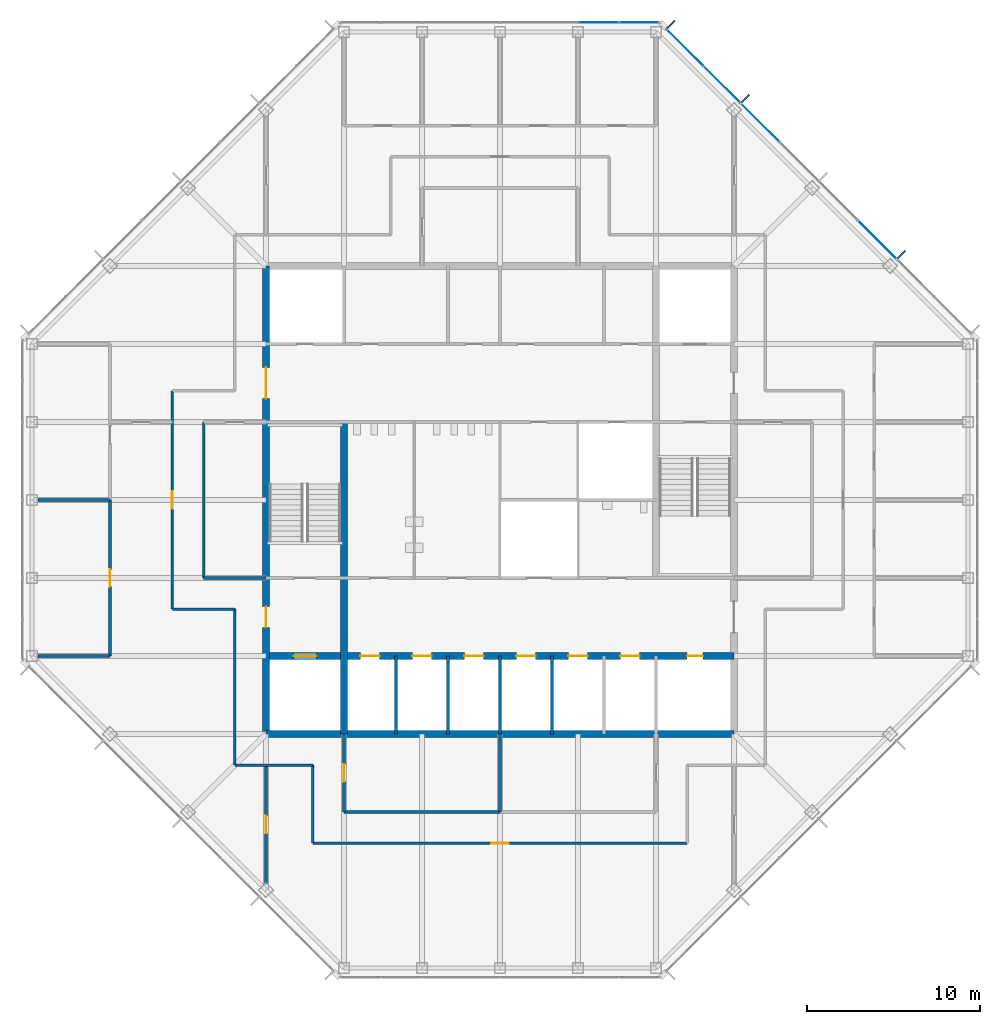
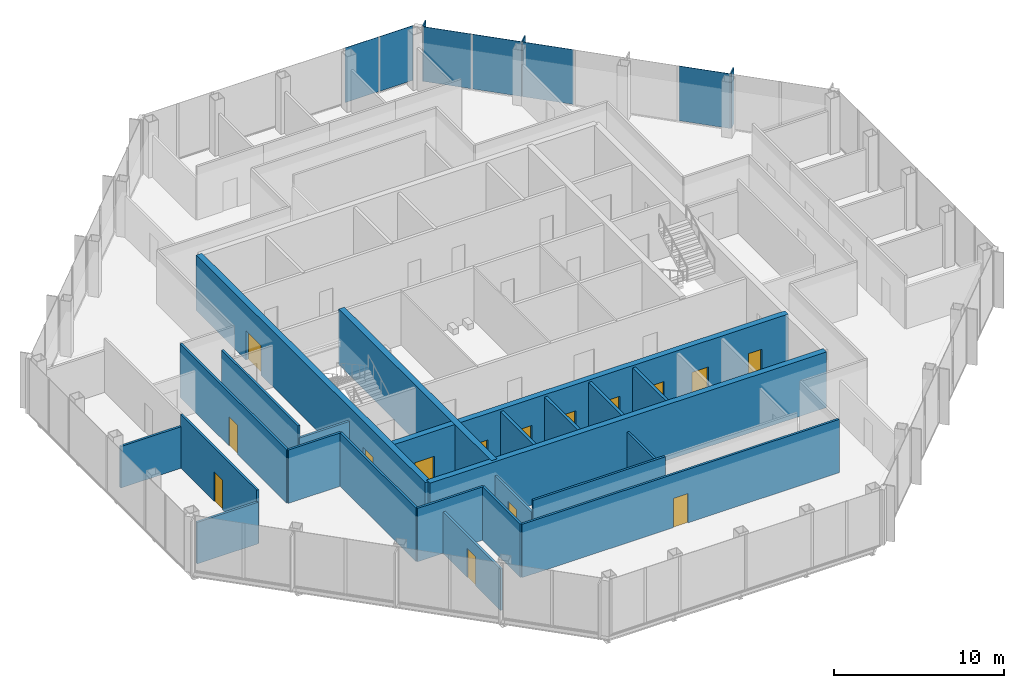
# One storey, part 9 of 14: 23 walls, 15 doors, 9 plates, 15 openings, 2 elements without a shape of their own.
"""IFC4 building model written with IfcOpenShell, lengths in metres."""

from ifc_helpers import new_model, si_unit, direction, frame, frame_2d, origin, origin_2d, place, context, subcontext, project, spatial, rectangle, extrude, material, layer, layer_set, type_object, element, fill, aggregate, save


model = new_model("IFC4")

# Units and contexts
model_context = context("Model", 3, precision=1e-05, world=origin(), true_north=direction((0.0, 1.0)))
body_context = subcontext(model_context, "Body", "Model", "MODEL_VIEW")
ifc_project = project(units=[si_unit("LENGTHUNIT", "METRE"), si_unit("AREAUNIT", "SQUARE_METRE"), si_unit("VOLUMEUNIT", "CUBIC_METRE"), si_unit("PLANEANGLEUNIT", "RADIAN"), si_unit("MASSUNIT", "GRAM", prefix="KILO")], contexts=[model_context])

# Site, building, storey
site_placement = place(None, origin())
site = spatial("IfcSite", under=ifc_project, at=site_placement, CompositionType="ELEMENT")
building_placement = place(site_placement, origin())
building = spatial("IfcBuilding", under=site, at=building_placement, Name="Corais Broadcast Tower", CompositionType="ELEMENT")
storey_placement = place(building_placement, frame((0.0, 0.0, 214.60009765625)))
storey = spatial("IfcBuildingStorey", under=building, at=storey_placement, Name="L49", CompositionType="ELEMENT", Elevation=214.60009765625)

# Curtain wall, plate
ifc_material_1 = material(Name="Aluminium and glass", Category="aluminium")
curtain_wall_type = type_object("IfcCurtainWallType", Name="Unitised fritted curtain wall CW3", PredefinedType="NOTDEFINED", material=ifc_material_1)
curtain_wall_1_placement = place(storey_placement, origin())
curtain_wall_1 = element("IfcCurtainWall", 1, at=curtain_wall_1_placement, inside=storey, type_object=curtain_wall_type, Name="CW3 curtain wall L49 4", PredefinedType="NOTDEFINED")
ifc_material_2 = material(Name="Ceramic-fritted laminated glass", Category="glass")
ifc_layer_1 = layer(ifc_material_2, 0.02587890625)
ifc_layer_set_1 = layer_set([ifc_layer_1], Name="Ceramic-fritted laminated glass")
plate_type_1 = type_object("IfcPlateType", Name="Fritted glass panel CW3", PredefinedType="CURTAIN_PANEL", material=ifc_layer_set_1)
plate_1_placement = place(storey_placement, frame((32.681884765625, 54.550048828125, 0.06494140625), z_axis=(0.0, 0.0, 1.0), x_axis=(1.0, 0.0, 0.0)))
plate_1 = element("IfcPlate", 2, at=plate_1_placement, type_object=plate_type_1, Name="CW3 panel 5", PredefinedType="CURTAIN_PANEL", context=body_context, shape_type="SweptSolid", body=[
    extrude(rectangle(XDim=2.298828125, YDim=0.02587890625, at=origin_2d()), origin(), (0.0, 0.0, 1.0), 3.93505859375),
])

# Curtain wall, plates
curtain_wall_2_placement = place(storey_placement, origin())
curtain_wall_2 = element("IfcCurtainWall", 3, at=curtain_wall_2_placement, inside=storey, type_object=curtain_wall_type, Name="CW3 curtain wall L49 5", PredefinedType="NOTDEFINED")
plate_2_placement = place(storey_placement, frame((37.669677734375, 53.108154296875, 0.06494140625), z_axis=(0.0, 0.0, 1.0), x_axis=(0.707106781187, -0.707106781187, 0.0)))
plate_2 = element("IfcPlate", 4, at=plate_2_placement, type_object=plate_type_1, Name="CW3 panel 1", PredefinedType="CURTAIN_PANEL", context=body_context, shape_type="SweptSolid", body=[
    extrude(rectangle(XDim=2.9482421875, YDim=0.02587890625, at=origin_2d()), origin(), (0.0, 0.0, 1.0), 3.93505859375),
])
plate_3_placement = place(storey_placement, frame((42.013916015625, 48.763916015625, 0.06494140625), z_axis=(0.0, 0.0, 1.0), x_axis=(0.707106781187, -0.707106781187, 0.0)))
plate_3 = element("IfcPlate", 5, at=plate_3_placement, type_object=plate_type_1, Name="CW3 panel 3", PredefinedType="CURTAIN_PANEL", context=body_context, shape_type="SweptSolid", body=[
    extrude(rectangle(XDim=3.116943359375, YDim=0.02587890625, at=origin_2d()), origin(), (0.0, 0.0, 1.0), 3.93505859375),
])

# Plate
ifc_material_3 = material(Name="Clear laminated glass", Category="glass")
ifc_layer_2 = layer(ifc_material_3, 0.030029296875)
ifc_layer_set_2 = layer_set([ifc_layer_2], Name="Clear laminated glass")
plate_type_2 = type_object("IfcPlateType", Name="Operable glass panel CW3", PredefinedType="CURTAIN_PANEL", material=ifc_layer_set_2)
plate_4_placement = place(storey_placement, frame((35.029541015625, 54.550048828125, 0.06494140625), z_axis=(0.0, 0.0, 1.0), x_axis=(1.0, 0.0, 0.0)))
plate_4 = element("IfcPlate", 6, at=plate_4_placement, type_object=plate_type_2, Name="CW3 operable panel 6", PredefinedType="CURTAIN_PANEL", context=body_context, shape_type="SweptSolid", body=[
    extrude(rectangle(XDim=2.266357421875, YDim=0.030029296875, at=origin_2d()), origin(), (0.0, 0.0, 1.0), 3.93505859375),
])

aggregate(curtain_wall_1, [plate_1, plate_4])

plate_5_placement = place(storey_placement, frame((39.81201171875, 50.9658203125, 0.06494140625), z_axis=(0.0, 0.0, 1.0), x_axis=(0.707106781187, -0.707106781187, 0.0)))
plate_5 = element("IfcPlate", 7, at=plate_5_placement, type_object=plate_type_2, Name="CW3 operable panel 2", PredefinedType="CURTAIN_PANEL", context=body_context, shape_type="SweptSolid", body=[
    extrude(rectangle(XDim=2.98095703125, YDim=0.030029296875, at=origin_2d()), origin(), (0.0, 0.0, 1.0), 3.93505859375),
])

plate_6_placement = place(storey_placement, frame((48.763916015625, 42.013916015625, 0.06494140625), z_axis=(0.0, 0.0, 1.0), x_axis=(0.707106781187, -0.707106781187, 0.0)))
plate_6 = element("IfcPlate", 8, at=plate_6_placement, type_object=plate_type_2, Name="CW3 operable panel 6", PredefinedType="CURTAIN_PANEL", context=body_context, shape_type="SweptSolid", body=[
    extrude(rectangle(XDim=3.116943359375, YDim=0.030029296875, at=origin_2d()), origin(), (0.0, 0.0, 1.0), 3.93505859375),
])

aggregate(curtain_wall_2, [plate_2, plate_5, plate_3, plate_6])

# Plates
ifc_material_4 = material(Name="Granite stone cladding", Category="masonry")
ifc_layer_3 = layer(ifc_material_4, 0.080078125)
ifc_layer_set_3 = layer_set([ifc_layer_3], Name="Granite stone cladding")
plate_type_3 = type_object("IfcPlateType", Name="Stone screen fin 80x600", PredefinedType="USERDEFINED", material=ifc_layer_set_3)
for number, where, z_axis, x_axis, name in (
    (9, (36.870849609375, 54.43994140625, 0.0), (0.0, 0.0, 1.0), (0.707106781187, -0.707106781187, 0.0), "SF1 stone screen fin L49"),
    (10, (41.155517578125, 50.155517578125, 0.0), (0.0, 0.0, 1.0), (0.707106781187, -0.707106781187, 0.0), "SF1 stone screen fin L49"),
    (11, (50.155517578125, 41.155517578125, 0.0), (0.0, 0.0, 1.0), (0.707106781187, -0.707106781187, 0.0), "SF1 stone screen fin L49"),
):
    element("IfcPlate", number, at=place(storey_placement, frame(where, z_axis=z_axis, x_axis=x_axis)), inside=storey, type_object=plate_type_3, Name=name, ObjectType="STONE SCREEN FIN", PredefinedType="USERDEFINED", context=body_context, shape_type="SweptSolid", body=[
        extrude(rectangle(XDim=0.080078125, YDim=0.60009765625, at=origin_2d()), origin(), (0.0, 0.0, 1.0), 4.0),
    ])

# Wall
ifc_material_5 = material(Name="Concrete C50/60", Category="concrete")
ifc_layer_4 = layer(ifc_material_5, 0.39990234375)
ifc_layer_set_4 = layer_set([ifc_layer_4], Name="Concrete C50/60")
wall_type_1 = type_object("IfcWallType", Name="Core wall 400", PredefinedType="SHEAR", material=ifc_layer_set_4)
wall_1_placement = place(storey_placement, frame((13.5, 13.5, 0.0), z_axis=(0.0, 0.0, 1.0), x_axis=(1.0, 0.0, 0.0)))
element("IfcWall", 12, at=wall_1_placement, inside=storey, type_object=wall_type_1, Name="CR400 core wall S L49", PredefinedType="SHEAR", context=body_context, shape_type="SweptSolid", body=[
    extrude(rectangle(XDim=27.0, YDim=0.39990234375, at=frame_2d((13.5, 0.0))), origin(), (0.0, 0.0, 1.0), 4.0),
])

# Wall, openings, doors
wall_2_placement = place(storey_placement, frame((13.5, 40.5, 0.0), z_axis=(0.0, 0.0, 1.0), x_axis=(0.0, -1.0, 0.0)))
wall_2 = element("IfcWall", 13, at=wall_2_placement, inside=storey, type_object=wall_type_1, Name="CR400 core wall W L49", PredefinedType="SHEAR", context=body_context, shape_type="SweptSolid", body=[
    extrude(rectangle(XDim=27.0, YDim=0.39990234375, at=frame_2d((13.5, 0.0))), origin(), (0.0, 0.0, 1.0), 4.0),
])
opening_1_placement = place(wall_2_placement, frame((19.64990234375, 0.0, 0.0)))
opening_1 = element("IfcOpeningElement", 14, at=opening_1_placement, cuts=wall_2, Name="Opening FD1", PredefinedType="OPENING", context=body_context, shape_type="SweptSolid", body=[
    extrude(rectangle(XDim=1.199951171875, YDim=2.10009765625, at=frame_2d((0.60009765625, 1.050048828125))), frame((0.0, 0.2099609375, 0.0), z_axis=(0.0, -1.0, 0.0), x_axis=(1.0, 0.0, 0.0)), (0.0, 0.0, 1.0), 0.419921875),
])
opening_2_placement = place(wall_2_placement, frame((5.85009765625, 0.0, 0.0)))
opening_2 = element("IfcOpeningElement", 15, at=opening_2_placement, cuts=wall_2, Name="Opening FD2", PredefinedType="OPENING", context=body_context, shape_type="SweptSolid", body=[
    extrude(rectangle(XDim=1.800048828125, YDim=2.10009765625, at=frame_2d((0.89990234375, 1.050048828125))), frame((0.0, 0.2099609375, 0.0), z_axis=(0.0, -1.0, 0.0), x_axis=(1.0, 0.0, 0.0)), (0.0, 0.0, 1.0), 0.419921875),
])
ifc_material_6 = material(Name="Steel fire door", Category="steel")
door_type_1 = type_object("IfcDoorType", Name="Fire door 1200x2100", OperationType="SINGLE_SWING_LEFT", PredefinedType="DOOR", material=ifc_material_6)
door_1_placement = place(opening_1_placement, origin())
door_1 = element("IfcDoor", 16, at=door_1_placement, inside=storey, type_object=door_type_1, Name="FD1 fire lobby A door L49", OperationType="SINGLE_SWING_RIGHT", OverallHeight=2.10009765625, OverallWidth=1.199951171875, PredefinedType="DOOR", context=body_context, shape_type="SweptSolid", body=[
    extrude(rectangle(XDim=1.199951171875, YDim=2.10009765625, at=frame_2d((0.60009765625, 1.050048828125))), frame((0.0, 0.02490234375, 0.0), z_axis=(0.0, -1.0, 0.0), x_axis=(1.0, 0.0, 0.0)), (0.0, 0.0, 1.0), 0.050048828125),
])
fill(opening_1, door_1)
ifc_material_7 = material(Name="Steel fire door", Category="steel")
door_type_2 = type_object("IfcDoorType", Name="Fire door pair 1800x2100", OperationType="DOUBLE_DOOR_SINGLE_SWING", PredefinedType="DOOR", material=ifc_material_7)
door_2_placement = place(opening_2_placement, origin())
door_2 = element("IfcDoor", 17, at=door_2_placement, inside=storey, type_object=door_type_2, Name="FD2 lift lobby door L49", OperationType="SINGLE_SWING_LEFT", OverallHeight=2.10009765625, OverallWidth=1.800048828125, PredefinedType="DOOR", context=body_context, shape_type="SweptSolid", body=[
    extrude(rectangle(XDim=1.800048828125, YDim=2.10009765625, at=frame_2d((0.89990234375, 1.050048828125))), frame((0.0, 0.02490234375, 0.0), z_axis=(0.0, -1.0, 0.0), x_axis=(1.0, 0.0, 0.0)), (0.0, 0.0, 1.0), 0.050048828125),
])
fill(opening_2, door_2)

# Wall
wall_3_placement = place(storey_placement, frame((18.0, 13.5, 0.0), z_axis=(0.0, 0.0, 1.0), x_axis=(0.0, 1.0, 0.0)))
element("IfcWall", 18, at=wall_3_placement, inside=storey, type_object=wall_type_1, Name="CR400 core wall X18A L49", PredefinedType="SHEAR", context=body_context, shape_type="SweptSolid", body=[
    extrude(rectangle(XDim=18.0, YDim=0.39990234375, at=frame_2d((9.0, 0.0))), origin(), (0.0, 0.0, 1.0), 4.0),
])

# Wall, openings, doors
wall_4_placement = place(storey_placement, frame((13.5, 18.0, 0.0), z_axis=(0.0, 0.0, 1.0), x_axis=(1.0, 0.0, 0.0)))
wall_4 = element("IfcWall", 19, at=wall_4_placement, inside=storey, type_object=wall_type_1, Name="CR400 core wall Y18 L49", PredefinedType="SHEAR", context=body_context, shape_type="SweptSolid", body=[
    extrude(rectangle(XDim=27.0, YDim=0.39990234375, at=frame_2d((13.5, 0.0))), origin(), (0.0, 0.0, 1.0), 4.0),
])
opening_3_placement = place(wall_4_placement, frame((24.300048828125, 0.0, 0.0)))
opening_3 = element("IfcOpeningElement", 20, at=opening_3_placement, cuts=wall_4, Name="Opening RD1", PredefinedType="OPENING", context=body_context, shape_type="SweptSolid", body=[
    extrude(rectangle(XDim=0.89990234375, YDim=2.10009765625, at=frame_2d((0.449951171875, 1.050048828125))), frame((0.0, 0.2099609375, 0.0), z_axis=(0.0, -1.0, 0.0), x_axis=(1.0, 0.0, 0.0)), (0.0, 0.0, 1.0), 0.419921875),
])
opening_4_placement = place(wall_4_placement, frame((5.449951171875, 0.0, 0.0)))
opening_4 = element("IfcOpeningElement", 21, at=opening_4_placement, cuts=wall_4, Name="Opening LD1", PredefinedType="OPENING", context=body_context, shape_type="SweptSolid", body=[
    extrude(rectangle(XDim=1.10009765625, YDim=2.10009765625, at=frame_2d((0.550048828125, 1.050048828125))), frame((0.0, 0.2099609375, 0.0), z_axis=(0.0, -1.0, 0.0), x_axis=(1.0, 0.0, 0.0)), (0.0, 0.0, 1.0), 0.419921875),
])
opening_5_placement = place(wall_4_placement, frame((8.449951171875, 0.0, 0.0)))
opening_5 = element("IfcOpeningElement", 22, at=opening_5_placement, cuts=wall_4, Name="Opening LD1", PredefinedType="OPENING", context=body_context, shape_type="SweptSolid", body=[
    extrude(rectangle(XDim=1.10009765625, YDim=2.10009765625, at=frame_2d((0.550048828125, 1.050048828125))), frame((0.0, 0.2099609375, 0.0), z_axis=(0.0, -1.0, 0.0), x_axis=(1.0, 0.0, 0.0)), (0.0, 0.0, 1.0), 0.419921875),
])
opening_6_placement = place(wall_4_placement, frame((11.449951171875, 0.0, 0.0)))
opening_6 = element("IfcOpeningElement", 23, at=opening_6_placement, cuts=wall_4, Name="Opening LD1", PredefinedType="OPENING", context=body_context, shape_type="SweptSolid", body=[
    extrude(rectangle(XDim=1.10009765625, YDim=2.10009765625, at=frame_2d((0.550048828125, 1.050048828125))), frame((0.0, 0.2099609375, 0.0), z_axis=(0.0, -1.0, 0.0), x_axis=(1.0, 0.0, 0.0)), (0.0, 0.0, 1.0), 0.419921875),
])
opening_7_placement = place(wall_4_placement, frame((14.449951171875, 0.0, 0.0)))
opening_7 = element("IfcOpeningElement", 24, at=opening_7_placement, cuts=wall_4, Name="Opening LD1", PredefinedType="OPENING", context=body_context, shape_type="SweptSolid", body=[
    extrude(rectangle(XDim=1.10009765625, YDim=2.10009765625, at=frame_2d((0.550048828125, 1.050048828125))), frame((0.0, 0.2099609375, 0.0), z_axis=(0.0, -1.0, 0.0), x_axis=(1.0, 0.0, 0.0)), (0.0, 0.0, 1.0), 0.419921875),
])
opening_8_placement = place(wall_4_placement, frame((17.449951171875, 0.0, 0.0)))
opening_8 = element("IfcOpeningElement", 25, at=opening_8_placement, cuts=wall_4, Name="Opening LD1", PredefinedType="OPENING", context=body_context, shape_type="SweptSolid", body=[
    extrude(rectangle(XDim=1.10009765625, YDim=2.10009765625, at=frame_2d((0.550048828125, 1.050048828125))), frame((0.0, 0.2099609375, 0.0), z_axis=(0.0, -1.0, 0.0), x_axis=(1.0, 0.0, 0.0)), (0.0, 0.0, 1.0), 0.419921875),
])
opening_9_placement = place(wall_4_placement, frame((20.449951171875, 0.0, 0.0)))
opening_9 = element("IfcOpeningElement", 26, at=opening_9_placement, cuts=wall_4, Name="Opening LD1", PredefinedType="OPENING", context=body_context, shape_type="SweptSolid", body=[
    extrude(rectangle(XDim=1.10009765625, YDim=2.10009765625, at=frame_2d((0.550048828125, 1.050048828125))), frame((0.0, 0.2099609375, 0.0), z_axis=(0.0, -1.0, 0.0), x_axis=(1.0, 0.0, 0.0)), (0.0, 0.0, 1.0), 0.419921875),
])
opening_10_placement = place(wall_4_placement, frame((1.60009765625, 0.0, 0.0)))
opening_10 = element("IfcOpeningElement", 27, at=opening_10_placement, cuts=wall_4, Name="Opening LD2", PredefinedType="OPENING", context=body_context, shape_type="SweptSolid", body=[
    extrude(rectangle(XDim=1.300048828125, YDim=2.199951171875, at=frame_2d((0.64990234375, 1.10009765625))), frame((0.0, 0.2099609375, 0.0), z_axis=(0.0, -1.0, 0.0), x_axis=(1.0, 0.0, 0.0)), (0.0, 0.0, 1.0), 0.419921875),
])
ifc_material_8 = material(Name="Stainless steel lift door", Category="steel")
door_type_3 = type_object("IfcDoorType", Name="Lift landing door 1100x2100", OperationType="SLIDING_TO_LEFT", PredefinedType="DOOR", material=ifc_material_8)
door_3_placement = place(opening_4_placement, origin())
door_3 = element("IfcDoor", 28, at=door_3_placement, inside=storey, type_object=door_type_3, Name="LD1 PH1 landing door L49", OperationType="SLIDING_TO_LEFT", OverallHeight=2.10009765625, OverallWidth=1.10009765625, PredefinedType="DOOR", context=body_context, shape_type="SweptSolid", body=[
    extrude(rectangle(XDim=1.10009765625, YDim=2.10009765625, at=frame_2d((0.550048828125, 1.050048828125))), frame((0.0, 0.02490234375, 0.0), z_axis=(0.0, -1.0, 0.0), x_axis=(1.0, 0.0, 0.0)), (0.0, 0.0, 1.0), 0.050048828125),
])
fill(opening_4, door_3)
door_4_placement = place(opening_5_placement, origin())
door_4 = element("IfcDoor", 29, at=door_4_placement, inside=storey, type_object=door_type_3, Name="LD1 PH2 landing door L49", OperationType="SLIDING_TO_LEFT", OverallHeight=2.10009765625, OverallWidth=1.10009765625, PredefinedType="DOOR", context=body_context, shape_type="SweptSolid", body=[
    extrude(rectangle(XDim=1.10009765625, YDim=2.10009765625, at=frame_2d((0.550048828125, 1.050048828125))), frame((0.0, 0.02490234375, 0.0), z_axis=(0.0, -1.0, 0.0), x_axis=(1.0, 0.0, 0.0)), (0.0, 0.0, 1.0), 0.050048828125),
])
fill(opening_5, door_4)
door_5_placement = place(opening_6_placement, origin())
door_5 = element("IfcDoor", 30, at=door_5_placement, inside=storey, type_object=door_type_3, Name="LD1 PH3 landing door L49", OperationType="SLIDING_TO_LEFT", OverallHeight=2.10009765625, OverallWidth=1.10009765625, PredefinedType="DOOR", context=body_context, shape_type="SweptSolid", body=[
    extrude(rectangle(XDim=1.10009765625, YDim=2.10009765625, at=frame_2d((0.550048828125, 1.050048828125))), frame((0.0, 0.02490234375, 0.0), z_axis=(0.0, -1.0, 0.0), x_axis=(1.0, 0.0, 0.0)), (0.0, 0.0, 1.0), 0.050048828125),
])
fill(opening_6, door_5)
door_6_placement = place(opening_7_placement, origin())
door_6 = element("IfcDoor", 31, at=door_6_placement, inside=storey, type_object=door_type_3, Name="LD1 PH4 landing door L49", OperationType="SLIDING_TO_LEFT", OverallHeight=2.10009765625, OverallWidth=1.10009765625, PredefinedType="DOOR", context=body_context, shape_type="SweptSolid", body=[
    extrude(rectangle(XDim=1.10009765625, YDim=2.10009765625, at=frame_2d((0.550048828125, 1.050048828125))), frame((0.0, 0.02490234375, 0.0), z_axis=(0.0, -1.0, 0.0), x_axis=(1.0, 0.0, 0.0)), (0.0, 0.0, 1.0), 0.050048828125),
])
fill(opening_7, door_6)
door_7_placement = place(opening_8_placement, origin())
door_7 = element("IfcDoor", 32, at=door_7_placement, inside=storey, type_object=door_type_3, Name="LD1 PH5 landing door L49", OperationType="SLIDING_TO_LEFT", OverallHeight=2.10009765625, OverallWidth=1.10009765625, PredefinedType="DOOR", context=body_context, shape_type="SweptSolid", body=[
    extrude(rectangle(XDim=1.10009765625, YDim=2.10009765625, at=frame_2d((0.550048828125, 1.050048828125))), frame((0.0, 0.02490234375, 0.0), z_axis=(0.0, -1.0, 0.0), x_axis=(1.0, 0.0, 0.0)), (0.0, 0.0, 1.0), 0.050048828125),
])
fill(opening_8, door_7)
door_8_placement = place(opening_9_placement, origin())
door_8 = element("IfcDoor", 33, at=door_8_placement, inside=storey, type_object=door_type_3, Name="LD1 PH6 landing door L49", OperationType="SLIDING_TO_LEFT", OverallHeight=2.10009765625, OverallWidth=1.10009765625, PredefinedType="DOOR", context=body_context, shape_type="SweptSolid", body=[
    extrude(rectangle(XDim=1.10009765625, YDim=2.10009765625, at=frame_2d((0.550048828125, 1.050048828125))), frame((0.0, 0.02490234375, 0.0), z_axis=(0.0, -1.0, 0.0), x_axis=(1.0, 0.0, 0.0)), (0.0, 0.0, 1.0), 0.050048828125),
])
fill(opening_9, door_8)
ifc_material_9 = material(Name="Stainless steel lift door", Category="steel")
door_type_4 = type_object("IfcDoorType", Name="Lift landing door 1300x2200", OperationType="SLIDING_TO_LEFT", PredefinedType="DOOR", material=ifc_material_9)
door_9_placement = place(opening_10_placement, origin())
door_9 = element("IfcDoor", 34, at=door_9_placement, inside=storey, type_object=door_type_4, Name="LD2 FL1 landing door L49", OperationType="SLIDING_TO_LEFT", OverallHeight=2.199951171875, OverallWidth=1.300048828125, PredefinedType="DOOR", context=body_context, shape_type="SweptSolid", body=[
    extrude(rectangle(XDim=1.300048828125, YDim=2.199951171875, at=frame_2d((0.64990234375, 1.10009765625))), frame((0.0, 0.02490234375, 0.0), z_axis=(0.0, -1.0, 0.0), x_axis=(1.0, 0.0, 0.0)), (0.0, 0.0, 1.0), 0.050048828125),
])
fill(opening_10, door_9)
ifc_material_10 = material(Name="Steel fire door", Category="steel")
door_type_5 = type_object("IfcDoorType", Name="Riser door 900x2100", OperationType="SINGLE_SWING_LEFT", PredefinedType="DOOR", material=ifc_material_10)
door_10_placement = place(opening_3_placement, origin())
door_10 = element("IfcDoor", 35, at=door_10_placement, inside=storey, type_object=door_type_5, Name="RD1 riser door L49", OperationType="SINGLE_SWING_RIGHT", OverallHeight=2.10009765625, OverallWidth=0.89990234375, PredefinedType="DOOR", context=body_context, shape_type="SweptSolid", body=[
    extrude(rectangle(XDim=0.89990234375, YDim=2.10009765625, at=frame_2d((0.449951171875, 1.050048828125))), frame((0.0, 0.02490234375, 0.0), z_axis=(0.0, -1.0, 0.0), x_axis=(1.0, 0.0, 0.0)), (0.0, 0.0, 1.0), 0.050048828125),
])
fill(opening_3, door_10)

# Wall, opening, door
ifc_material_11 = material(Name="Gypsum board on steel studs", Category="steel")
ifc_layer_5 = layer(ifc_material_11, 0.14990234375)
ifc_layer_set_5 = layer_set([ifc_layer_5], Name="Gypsum board on steel studs")
wall_type_2 = type_object("IfcWallType", Name="Partition 150", PredefinedType="PARTITIONING", material=ifc_layer_set_5)
wall_5_placement = place(storey_placement, frame((16.199951171875, 7.199951171875, 0.0), z_axis=(0.0, 0.0, 1.0), x_axis=(1.0, 0.0, 0.0)))
wall_5 = element("IfcWall", 36, at=wall_5_placement, inside=storey, type_object=wall_type_2, Name="IW3 corridor wall L49", PredefinedType="PARTITIONING", context=body_context, shape_type="SweptSolid", body=[
    extrude(rectangle(XDim=21.60009765625, YDim=0.14990234375, at=frame_2d((10.800048828125, 0.0))), origin(), (0.0, 0.0, 1.0), 3.83984375),
])
opening_11_placement = place(wall_5_placement, frame((10.300048828125, 0.0, 0.0)))
opening_11 = element("IfcOpeningElement", 37, at=opening_11_placement, cuts=wall_5, Name="Opening D1", PredefinedType="OPENING", context=body_context, shape_type="SweptSolid", body=[
    extrude(rectangle(XDim=1.0, YDim=2.10009765625, at=frame_2d((0.5, 1.050048828125))), frame((0.0, 0.0849609375, 0.0), z_axis=(0.0, -1.0, 0.0), x_axis=(1.0, 0.0, 0.0)), (0.0, 0.0, 1.0), 0.169921875),
])
ifc_material_12 = material(Name="Timber door", Category="wood")
door_type_6 = type_object("IfcDoorType", Name="Single door 1000x2100", OperationType="SINGLE_SWING_LEFT", PredefinedType="DOOR", material=ifc_material_12)
door_11_placement = place(opening_11_placement, origin())
door_11 = element("IfcDoor", 38, at=door_11_placement, inside=storey, type_object=door_type_6, Name="D1 workplace door L49", OperationType="SINGLE_SWING_LEFT", OverallHeight=2.10009765625, OverallWidth=1.0, PredefinedType="DOOR", context=body_context, shape_type="SweptSolid", body=[
    extrude(rectangle(XDim=1.0, YDim=2.10009765625, at=frame_2d((0.5, 1.050048828125))), frame((0.0, 0.02490234375, 0.0), z_axis=(0.0, -1.0, 0.0), x_axis=(1.0, 0.0, 0.0)), (0.0, 0.0, 1.0), 0.050048828125),
])
fill(opening_11, door_11)

wall_6_placement = place(storey_placement, frame((8.10009765625, 33.300048828125, 0.0), z_axis=(0.0, 0.0, 1.0), x_axis=(0.0, -1.0, 0.0)))
wall_6 = element("IfcWall", 39, at=wall_6_placement, inside=storey, type_object=wall_type_2, Name="IW3 corridor wall L49", PredefinedType="PARTITIONING", context=body_context, shape_type="SweptSolid", body=[
    extrude(rectangle(XDim=12.60009765625, YDim=0.14990234375, at=frame_2d((6.300048828125, 0.0))), origin(), (0.0, 0.0, 1.0), 3.83984375),
])
opening_12_placement = place(wall_6_placement, frame((5.800048828125, 0.0, 0.0)))
opening_12 = element("IfcOpeningElement", 40, at=opening_12_placement, cuts=wall_6, Name="Opening D1", PredefinedType="OPENING", context=body_context, shape_type="SweptSolid", body=[
    extrude(rectangle(XDim=1.0, YDim=2.10009765625, at=frame_2d((0.5, 1.050048828125))), frame((0.0, 0.0849609375, 0.0), z_axis=(0.0, -1.0, 0.0), x_axis=(1.0, 0.0, 0.0)), (0.0, 0.0, 1.0), 0.169921875),
])
door_12_placement = place(opening_12_placement, origin())
door_12 = element("IfcDoor", 41, at=door_12_placement, inside=storey, type_object=door_type_6, Name="D1 workplace door L49", OperationType="SINGLE_SWING_LEFT", OverallHeight=2.10009765625, OverallWidth=1.0, PredefinedType="DOOR", context=body_context, shape_type="SweptSolid", body=[
    extrude(rectangle(XDim=1.0, YDim=2.10009765625, at=frame_2d((0.5, 1.050048828125))), frame((0.0, 0.02490234375, 0.0), z_axis=(0.0, -1.0, 0.0), x_axis=(1.0, 0.0, 0.0)), (0.0, 0.0, 1.0), 0.050048828125),
])
fill(opening_12, door_12)

# Walls
wall_7_placement = place(storey_placement, frame((11.699951171875, 20.699951171875, 0.0), z_axis=(0.0, 0.0, 1.0), x_axis=(0.0, -1.0, 0.0)))
element("IfcWall", 42, at=wall_7_placement, inside=storey, type_object=wall_type_2, Name="IW3 corridor wall L49", PredefinedType="PARTITIONING", context=body_context, shape_type="SweptSolid", body=[
    extrude(rectangle(XDim=9.0, YDim=0.14990234375, at=frame_2d((4.5, 0.0))), origin(), (0.0, 0.0, 1.0), 3.83984375),
])
for number, where, z_axis, x_axis, name in (
    (43, (11.699951171875, 11.699951171875, 0.0), (0.0, 0.0, 1.0), (1.0, 0.0, 0.0), "IW3 corridor wall L49"),
    (44, (16.199951171875, 11.699951171875, 0.0), (0.0, 0.0, 1.0), (0.0, -1.0, 0.0), "IW3 corridor wall L49"),
):
    element("IfcWall", number, at=place(storey_placement, frame(where, z_axis=z_axis, x_axis=x_axis)), inside=storey, type_object=wall_type_2, Name=name, PredefinedType="PARTITIONING", context=body_context, shape_type="SweptSolid", body=[
        extrude(rectangle(XDim=4.5, YDim=0.14990234375, at=frame_2d((2.25, 0.0))), origin(), (0.0, 0.0, 1.0), 3.83984375),
    ])
wall_8_placement = place(storey_placement, frame((8.10009765625, 20.699951171875, 0.0), z_axis=(0.0, 0.0, 1.0), x_axis=(1.0, 0.0, 0.0)))
element("IfcWall", 45, at=wall_8_placement, inside=storey, type_object=wall_type_2, Name="IW3 corridor wall L49", PredefinedType="PARTITIONING", context=body_context, shape_type="SweptSolid", body=[
    extrude(rectangle(XDim=3.599853515625, YDim=0.14990234375, at=frame_2d((1.7998046875, 0.0))), origin(), (0.0, 0.0, 1.0), 3.83984375),
])
wall_9_placement = place(storey_placement, frame((18.0, 9.0, 0.0), z_axis=(0.0, 0.0, 1.0), x_axis=(1.0, 0.0, 0.0)))
element("IfcWall", 46, at=wall_9_placement, inside=storey, type_object=wall_type_2, Name="IW3 partition L49", PredefinedType="PARTITIONING", context=body_context, shape_type="SweptSolid", body=[
    extrude(rectangle(XDim=9.0, YDim=0.14990234375, at=frame_2d((4.5, 0.0))), origin(), (0.0, 0.0, 1.0), 3.83984375),
])
wall_10_placement = place(storey_placement, frame((27.0, 9.0, 0.0), z_axis=(0.0, 0.0, 1.0), x_axis=(0.0, 1.0, 0.0)))
element("IfcWall", 47, at=wall_10_placement, inside=storey, type_object=wall_type_2, Name="IW3 partition L49", PredefinedType="PARTITIONING", context=body_context, shape_type="SweptSolid", body=[
    extrude(rectangle(XDim=4.5, YDim=0.14990234375, at=frame_2d((2.25, 0.0))), origin(), (0.0, 0.0, 1.0), 2.989013671875),
])

# Wall, opening, door
wall_11_placement = place(storey_placement, frame((18.0, 13.5, 0.0), z_axis=(0.0, 0.0, 1.0), x_axis=(0.0, -1.0, 0.0)))
wall_11 = element("IfcWall", 48, at=wall_11_placement, inside=storey, type_object=wall_type_2, Name="IW3 partition L49", PredefinedType="PARTITIONING", context=body_context, shape_type="SweptSolid", body=[
    extrude(rectangle(XDim=4.5, YDim=0.14990234375, at=frame_2d((2.25, 0.0))), origin(), (0.0, 0.0, 1.0), 2.989013671875),
])
opening_13_placement = place(wall_11_placement, frame((1.75, 0.0, 0.0)))
opening_13 = element("IfcOpeningElement", 49, at=opening_13_placement, cuts=wall_11, Name="Opening D1", PredefinedType="OPENING", context=body_context, shape_type="SweptSolid", body=[
    extrude(rectangle(XDim=1.0, YDim=2.10009765625, at=frame_2d((0.5, 1.050048828125))), frame((0.0, 0.0849609375, 0.0), z_axis=(0.0, -1.0, 0.0), x_axis=(1.0, 0.0, 0.0)), (0.0, 0.0, 1.0), 0.169921875),
])
door_13_placement = place(opening_13_placement, origin())
door_13 = element("IfcDoor", 50, at=door_13_placement, inside=storey, type_object=door_type_6, Name="D1 Project meeting room door", OperationType="SINGLE_SWING_LEFT", OverallHeight=2.10009765625, OverallWidth=1.0, PredefinedType="DOOR", context=body_context, shape_type="SweptSolid", body=[
    extrude(rectangle(XDim=1.0, YDim=2.10009765625, at=frame_2d((0.5, 1.050048828125))), frame((0.0, 0.02490234375, 0.0), z_axis=(0.0, -1.0, 0.0), x_axis=(1.0, 0.0, 0.0)), (0.0, 0.0, 1.0), 0.050048828125),
])
fill(opening_13, door_13)

# Walls
wall_12_placement = place(storey_placement, frame((9.89990234375, 22.5, 0.0), z_axis=(0.0, 0.0, 1.0), x_axis=(1.0, 0.0, 0.0)))
element("IfcWall", 51, at=wall_12_placement, inside=storey, type_object=wall_type_2, Name="IW3 partition L49", PredefinedType="PARTITIONING", context=body_context, shape_type="SweptSolid", body=[
    extrude(rectangle(XDim=3.60009765625, YDim=0.14990234375, at=frame_2d((1.800048828125, 0.0))), origin(), (0.0, 0.0, 1.0), 2.989013671875),
])
wall_13_placement = place(storey_placement, frame((9.89990234375, 31.5, 0.0), z_axis=(0.0, 0.0, 1.0), x_axis=(0.0, -1.0, 0.0)))
element("IfcWall", 52, at=wall_13_placement, inside=storey, type_object=wall_type_2, Name="IW3 partition L49", PredefinedType="PARTITIONING", context=body_context, shape_type="SweptSolid", body=[
    extrude(rectangle(XDim=9.0, YDim=0.14990234375, at=frame_2d((4.5, 0.0))), origin(), (0.0, 0.0, 1.0), 3.83984375),
])
wall_14_placement = place(storey_placement, frame((0.3349609375, 18.0, 0.0), z_axis=(0.0, 0.0, 1.0), x_axis=(1.0, 0.0, 0.0)))
element("IfcWall", 53, at=wall_14_placement, inside=storey, type_object=wall_type_2, Name="IW3 partition L49", PredefinedType="PARTITIONING", context=body_context, shape_type="SweptSolid", body=[
    extrude(rectangle(XDim=4.1650390625, YDim=0.14990234375, at=frame_2d((2.08251953125, 0.0))), origin(), (0.0, 0.0, 1.0), 2.989013671875),
])

# Wall, opening, door
wall_15_placement = place(storey_placement, frame((4.5, 18.0, 0.0), z_axis=(0.0, 0.0, 1.0), x_axis=(0.0, 1.0, 0.0)))
wall_15 = element("IfcWall", 54, at=wall_15_placement, inside=storey, type_object=wall_type_2, Name="IW3 partition L49", PredefinedType="PARTITIONING", context=body_context, shape_type="SweptSolid", body=[
    extrude(rectangle(XDim=9.0, YDim=0.14990234375, at=frame_2d((4.5, 0.0))), origin(), (0.0, 0.0, 1.0), 3.83984375),
])
opening_14_placement = place(wall_15_placement, frame((4.0, 0.0, 0.0)))
opening_14 = element("IfcOpeningElement", 55, at=opening_14_placement, cuts=wall_15, Name="Opening D1", PredefinedType="OPENING", context=body_context, shape_type="SweptSolid", body=[
    extrude(rectangle(XDim=1.0, YDim=2.10009765625, at=frame_2d((0.5, 1.050048828125))), frame((0.0, 0.0849609375, 0.0), z_axis=(0.0, -1.0, 0.0), x_axis=(1.0, 0.0, 0.0)), (0.0, 0.0, 1.0), 0.169921875),
])
door_14_placement = place(opening_14_placement, origin())
door_14 = element("IfcDoor", 56, at=door_14_placement, inside=storey, type_object=door_type_6, Name="D1 Office door", OperationType="SINGLE_SWING_LEFT", OverallHeight=2.10009765625, OverallWidth=1.0, PredefinedType="DOOR", context=body_context, shape_type="SweptSolid", body=[
    extrude(rectangle(XDim=1.0, YDim=2.10009765625, at=frame_2d((0.5, 1.050048828125))), frame((0.0, 0.02490234375, 0.0), z_axis=(0.0, -1.0, 0.0), x_axis=(1.0, 0.0, 0.0)), (0.0, 0.0, 1.0), 0.050048828125),
])
fill(opening_14, door_14)

# Wall
wall_16_placement = place(storey_placement, frame((4.5, 27.0, 0.0), z_axis=(0.0, 0.0, 1.0), x_axis=(-1.0, 0.0, 0.0)))
element("IfcWall", 57, at=wall_16_placement, inside=storey, type_object=wall_type_2, Name="IW3 partition L49", PredefinedType="PARTITIONING", context=body_context, shape_type="SweptSolid", body=[
    extrude(rectangle(XDim=4.1650390625, YDim=0.14990234375, at=frame_2d((2.08251953125, 0.0))), origin(), (0.0, 0.0, 1.0), 2.989013671875),
])

# Wall, opening, door
wall_17_placement = place(storey_placement, frame((13.5, 4.844970703125, 0.0), z_axis=(0.0, 0.0, 1.0), x_axis=(0.0, 1.0, 0.0)))
wall_17 = element("IfcWall", 58, at=wall_17_placement, inside=storey, type_object=wall_type_2, Name="IW3 partition L49", PredefinedType="PARTITIONING", context=body_context, shape_type="SweptSolid", body=[
    extrude(rectangle(XDim=6.85498046875, YDim=0.14990234375, at=frame_2d((3.427490234375, 0.0))), origin(), (0.0, 0.0, 1.0), 2.989013671875),
])
opening_15_placement = place(wall_17_placement, frame((2.927490234375, 0.0, 0.0)))
opening_15 = element("IfcOpeningElement", 59, at=opening_15_placement, cuts=wall_17, Name="Opening D1", PredefinedType="OPENING", context=body_context, shape_type="SweptSolid", body=[
    extrude(rectangle(XDim=1.0, YDim=2.10009765625, at=frame_2d((0.5, 1.050048828125))), frame((0.0, 0.0849609375, 0.0), z_axis=(0.0, -1.0, 0.0), x_axis=(1.0, 0.0, 0.0)), (0.0, 0.0, 1.0), 0.169921875),
])
door_15_placement = place(opening_15_placement, origin())
door_15 = element("IfcDoor", 60, at=door_15_placement, inside=storey, type_object=door_type_6, Name="D1 team room door L49", OperationType="SINGLE_SWING_LEFT", OverallHeight=2.10009765625, OverallWidth=1.0, PredefinedType="DOOR", context=body_context, shape_type="SweptSolid", body=[
    extrude(rectangle(XDim=1.0, YDim=2.10009765625, at=frame_2d((0.5, 1.050048828125))), frame((0.0, 0.02490234375, 0.0), z_axis=(0.0, -1.0, 0.0), x_axis=(1.0, 0.0, 0.0)), (0.0, 0.0, 1.0), 0.050048828125),
])
fill(opening_15, door_15)

# Walls
ifc_material_13 = material(Name="Concrete blockwork class A, grouted, two-hour", Category="masonry")
ifc_layer_6 = layer(ifc_material_13, 0.199951171875)
ifc_layer_set_6 = layer_set([ifc_layer_6], Name="Concrete blockwork class A, grouted, two-hour")
wall_type_3 = type_object("IfcWallType", Name="Shaft wall 200", PredefinedType="PARTITIONING", material=ifc_layer_set_6)
for number, where, z_axis, x_axis, name in (
    (61, (21.0, 13.5, 0.0), (0.0, 0.0, 1.0), (0.0, 1.0, 0.0), "IW1 shaft wall L49"),
    (62, (24.0, 13.5, 0.0), (0.0, 0.0, 1.0), (0.0, 1.0, 0.0), "IW1 shaft wall L49"),
    (63, (27.0, 13.5, 0.0), (0.0, 0.0, 1.0), (0.0, 1.0, 0.0), "IW1 shaft wall L49"),
    (64, (30.0, 13.5, 0.0), (0.0, 0.0, 1.0), (0.0, 1.0, 0.0), "IW1 shaft wall L49"),
):
    element("IfcWall", number, at=place(storey_placement, frame(where, z_axis=z_axis, x_axis=x_axis)), inside=storey, type_object=wall_type_3, Name=name, PredefinedType="PARTITIONING", context=body_context, shape_type="SweptSolid", body=[
        extrude(rectangle(XDim=4.5, YDim=0.199951171875, at=frame_2d((2.25, 0.0))), origin(), (0.0, 0.0, 1.0), 3.83984375),
    ])

save(model, "model.ifc")
